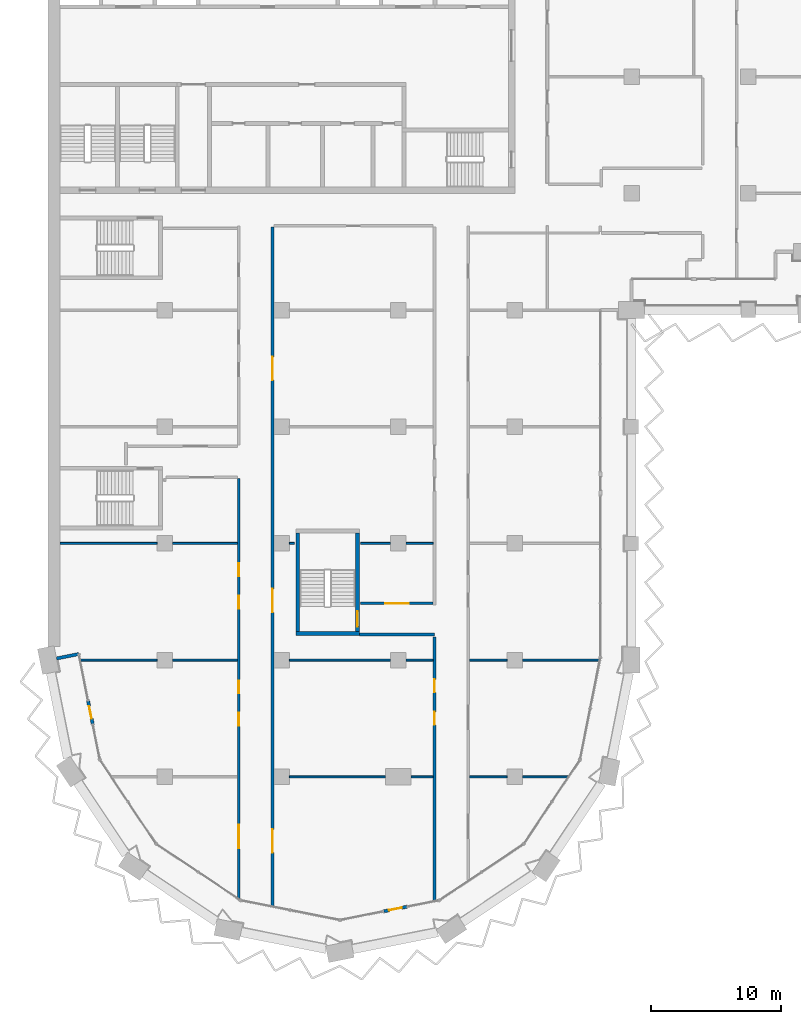
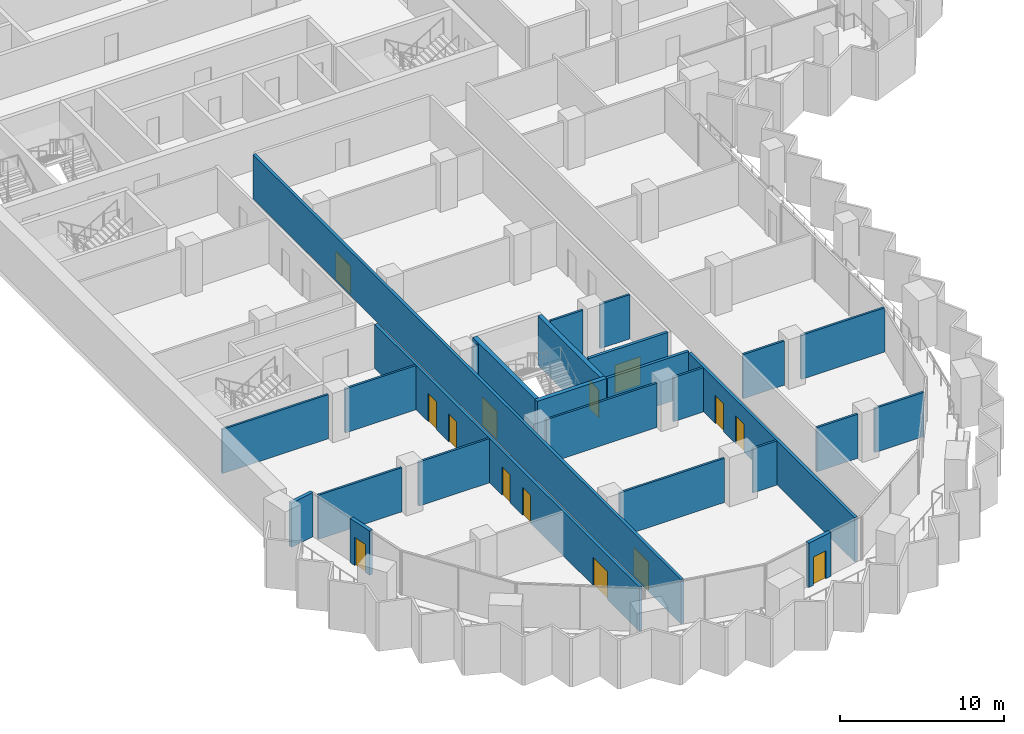
# One storey, part 8 of 22: 26 walls, 14 doors, 14 openings.
"""IFC4 building model written with IfcOpenShell, lengths in metres."""

import ifcopenshell
import ifcopenshell.guid

model = None  # the IFC model being written
_history = None  # IfcOwnerHistory: only IFC2X3 demands one
_inside = {}  # id of a spatial element -> (the spatial element, [elements in it])
_under = {}  # id of a project, library or spatial element -> (it, [spatial elements below it])
_declared = {}  # id of a project -> (the project, [libraries it declares])
_typed = {}  # id of a type object -> (the type object, [elements of that type])
_made_of = {}  # id of a material, layer set ... -> (it, [elements and type objects made of it])


def new_model(schema):
    """Start an empty IFC model of exactly this schema.

    Asked for "IFC4X3", IfcOpenShell would pick the latest addendum, in which some entities
    have other attributes; the version numbers below select the first issue.
    IFC2X3 requires an IfcOwnerHistory on every rooted entity: one is made here for all.
    """
    global model, _history
    if schema == "IFC4X3":
        model = ifcopenshell.file(schema_version=(4, 3, 0, 0))
    else:
        model = ifcopenshell.file(schema=schema)
    _inside.clear()
    _under.clear()
    _declared.clear()
    _typed.clear()
    _made_of.clear()
    _history = None
    if model.schema == "IFC2X3":
        org = make("IfcOrganization", Name="unknown")
        user = make(
            "IfcPersonAndOrganization",
            ThePerson=make("IfcPerson", FamilyName="unknown"),
            TheOrganization=org,
        )
        app = make(
            "IfcApplication",
            ApplicationDeveloper=org,
            Version="unknown",
            ApplicationFullName="unknown",
            ApplicationIdentifier="unknown",
        )
        _history = make(
            "IfcOwnerHistory",
            OwningUser=user,
            OwningApplication=app,
            ChangeAction="ADDED",
            CreationDate=0,
        )
    return model


def make(cls, **values):
    """One entity of the class cls with the attributes given. An attribute that is None is left unset."""
    return model.create_entity(
        cls, **{name: value for name, value in values.items() if value is not None}
    )


def rooted(cls, **values):
    """An entity with a GlobalId (a new one), such as an element, a storey or a relation."""
    return make(cls, GlobalId=ifcopenshell.guid.new(), OwnerHistory=_history, **values)


def si_unit(unit_type, name, prefix=None):
    """IfcSIUnit, for example si_unit("LENGTHUNIT", "METRE", prefix="MILLI")."""
    return make("IfcSIUnit", UnitType=unit_type, Prefix=prefix, Name=name)


def assignment(units):
    """IfcUnitAssignment: the units of a project."""
    return None if units is None else make("IfcUnitAssignment", Units=units)


def point(xyz):
    """IfcCartesianPoint."""
    return None if xyz is None else make("IfcCartesianPoint", Coordinates=xyz)


def direction(xyz):
    """IfcDirection."""
    return None if xyz is None else make("IfcDirection", DirectionRatios=xyz)


def frame(location, z_axis=None, x_axis=None):
    """IfcAxis2Placement3D, a coordinate frame: its origin and axes. An axis left out is left unset."""
    return make(
        "IfcAxis2Placement3D",
        Location=point(location),
        Axis=direction(z_axis),
        RefDirection=direction(x_axis),
    )


def frame_2d(location, x_axis=None):
    """IfcAxis2Placement2D, a coordinate frame in the plane: its origin and x axis."""
    return make(
        "IfcAxis2Placement2D", Location=point(location), RefDirection=direction(x_axis)
    )


def origin():
    """The frame at (0, 0, 0) with its axes left unset."""
    return frame((0.0, 0.0, 0.0))


def place(relative_to, where):
    """IfcLocalPlacement: puts the frame where relative to a parent placement (None: the world)."""
    return make(
        "IfcLocalPlacement", PlacementRelTo=relative_to, RelativePlacement=where
    )


def context(
    kind, dimensions, precision=None, world=None, true_north=None, identifier=None
):
    """IfcGeometricRepresentationContext, for example the 3D "Model" context."""
    return make(
        "IfcGeometricRepresentationContext",
        ContextIdentifier=identifier,
        ContextType=kind,
        CoordinateSpaceDimension=dimensions,
        Precision=precision,
        WorldCoordinateSystem=world,
        TrueNorth=true_north,
    )


def subcontext(parent, identifier, kind, view, scale=None):
    """IfcGeometricRepresentationSubContext, for example "Body" below "Model"."""
    return make(
        "IfcGeometricRepresentationSubContext",
        ContextIdentifier=identifier,
        ContextType=kind,
        ParentContext=parent,
        TargetScale=scale,
        TargetView=view,
    )


def project(units=None, contexts=None):
    """IfcProject with its units and contexts."""
    return rooted(
        "IfcProject",
        Name="project",
        RepresentationContexts=contexts,
        UnitsInContext=assignment(units),
    )


def spatial(cls, under=None, at=None, **own):
    """A site, building, storey or space (cls), placed at a placement, below another one or the project."""
    s = rooted(cls, ObjectPlacement=at, **own)
    if under is not None:
        _under.setdefault(under.id(), (under, []))[1].append(s)
    return s


def profile(cls, at=None, kind="AREA", **sizes):
    """A parametric profile (cls). Its sizes go by their IFC names, for example OverallWidth=200.0."""
    return make(cls, ProfileType=kind, Position=at, **sizes)


def rectangle(**sizes):
    """IfcRectangleProfileDef."""
    return profile("IfcRectangleProfileDef", **sizes)


def extrude(swept, where, along, depth):
    """IfcExtrudedAreaSolid: the profile swept, set in the frame where, extruded along a direction by depth."""
    return make(
        "IfcExtrudedAreaSolid",
        SweptArea=swept,
        Position=where,
        ExtrudedDirection=direction(along),
        Depth=depth,
    )


def shape(context_of_items, identifier, shape_type, items):
    """IfcShapeRepresentation: the items that make up one representation, for example the "Body"."""
    return make(
        "IfcShapeRepresentation",
        ContextOfItems=context_of_items,
        RepresentationIdentifier=identifier,
        RepresentationType=shape_type,
        Items=items,
    )


def material(Name=None, Category=None):
    """IfcMaterial."""
    return make("IfcMaterial", Name=Name, Category=Category)


def layer(
    of_material, thickness, ventilated=None, Name=None, Category=None, Priority=None
):
    """IfcMaterialLayer: one layer of a wall or slab, of a material (None: an air gap)."""
    return make(
        "IfcMaterialLayer",
        Material=of_material,
        LayerThickness=thickness,
        IsVentilated=ventilated,
        Name=Name,
        Category=Category,
        Priority=Priority,
    )


def layer_set(layers, Name=None):
    """IfcMaterialLayerSet."""
    return make("IfcMaterialLayerSet", MaterialLayers=layers, LayerSetName=Name)


def made_of(thing, what):
    """Note that an element or type object is made of a material, layer set ...; save() writes the relation."""
    if what is not None:
        _made_of.setdefault(what.id(), (what, []))[1].append(thing)
    return thing


def type_object(cls, material=None, **own):
    """A type object (cls), such as IfcWallType, which elements share."""
    return made_of(rooted(cls, **own), material)


def element(
    cls,
    number,
    at=None,
    inside=None,
    cuts=None,
    type_object=None,
    material=None,
    context=None,
    identifier="Body",
    shape_type=None,
    held_by="IfcProductDefinitionShape",
    body=None,
    shapes=None,
    **own,
):
    """One element of the class cls, such as IfcWall. Its Tag is "e" and its number.

    at: its placement. inside: the storey or other place that contains it. cuts: it is an
    opening in that element (IfcRelVoidsElement). A single representation is given by context,
    identifier, shape_type and body (its items); several are given by shapes. held_by: the class
    of the entity that holds the representations. save() writes the other relations.
    """
    e = rooted(cls, Tag="e%d" % number, ObjectPlacement=at, **own)
    if body is not None:
        shapes = [shape(context, identifier, shape_type, body)]
    if shapes is not None:
        e.Representation = make(held_by, Representations=shapes)
    if inside is not None:
        _inside.setdefault(inside.id(), (inside, []))[1].append(e)
    if cuts is not None:
        rooted(
            "IfcRelVoidsElement", RelatingBuildingElement=cuts, RelatedOpeningElement=e
        )
    if type_object is not None:
        _typed.setdefault(type_object.id(), (type_object, []))[1].append(e)
    return made_of(e, material)


def fill(opening, filler):
    """IfcRelFillsElement: the door or window that sits in an opening."""
    return rooted(
        "IfcRelFillsElement",
        RelatingOpeningElement=opening,
        RelatedBuildingElement=filler,
    )


def aggregate(whole, parts):
    """IfcRelAggregates: a whole, such as a stair, and the parts it consists of."""
    return rooted("IfcRelAggregates", RelatingObject=whole, RelatedObjects=parts)


def save(model, path):
    """Write the relations noted so far, then the file.

    IfcRelAggregates (storeys below a building ...), IfcRelContainedInSpatialStructure (elements
    in a storey), IfcRelDefinesByType, IfcRelAssociatesMaterial and IfcRelDeclares: one each for
    every whole, place, type object, material and project.
    """
    for whole, parts in _under.values():
        aggregate(whole, parts)
    for where, things in _inside.values():
        rooted(
            "IfcRelContainedInSpatialStructure",
            RelatedElements=things,
            RelatingStructure=where,
        )
    for kind, things in _typed.values():
        rooted("IfcRelDefinesByType", RelatedObjects=things, RelatingType=kind)
    for what, things in _made_of.values():
        rooted("IfcRelAssociatesMaterial", RelatedObjects=things, RelatingMaterial=what)
    for by, libraries in _declared.values():
        rooted("IfcRelDeclares", RelatingContext=by, RelatedDefinitions=libraries)
    model.write(path)


model = new_model("IFC4")

# Units and contexts
model_context = context("Model", 3, precision=1e-05, world=origin(), true_north=direction((0.0, 1.0)))
body_context = subcontext(model_context, "Body", "Model", "MODEL_VIEW")
ifc_project = project(units=[si_unit("LENGTHUNIT", "METRE"), si_unit("AREAUNIT", "SQUARE_METRE"), si_unit("VOLUMEUNIT", "CUBIC_METRE"), si_unit("PLANEANGLEUNIT", "RADIAN"), si_unit("MASSUNIT", "GRAM", prefix="KILO")], contexts=[model_context])

# Site, building, storey
site_placement = place(None, origin())
site = spatial("IfcSite", under=ifc_project, at=site_placement, CompositionType="ELEMENT")
building_placement = place(site_placement, origin())
building = spatial("IfcBuilding", under=site, at=building_placement, Name="Hunhe Ridgeline Campus", CompositionType="ELEMENT")
storey_placement = place(building_placement, frame((0.0, 0.0, 163.39990234375)))
storey = spatial("IfcBuildingStorey", under=building, at=storey_placement, Name="L41", CompositionType="ELEMENT", Elevation=163.39990234375)

# Walls
ifc_material_1 = material(Name="Concrete C30", Category="concrete")
ifc_layer_1 = layer(ifc_material_1, 0.25)
ifc_layer_set_1 = layer_set([ifc_layer_1], Name="Corner return wall 250 Concrete C30")
wall_type_1 = type_object("IfcWallType", Name="Corner return wall 250 Concrete C30", PredefinedType="SOLIDWALL", material=ifc_layer_set_1)
wall_1_placement = place(storey_placement, frame((0.637451171875, 27.127685546875, 0.0), z_axis=(0.0, 0.0, 1.0), x_axis=(0.980842591884, 0.194801976239, 0.0)))
element("IfcWall", 1, at=wall_1_placement, inside=storey, type_object=wall_type_1, Name="Corner return wall 1", PredefinedType="SOLIDWALL", context=body_context, shape_type="SweptSolid", body=[
    extrude(rectangle(XDim=1.750732421875, YDim=0.25, at=frame_2d((0.87548828125, 0.0))), origin(), (0.0, 0.0, 1.0), 3.300048828125),
])
ifc_material_2 = material(Name="Gypsum board partition")
ifc_layer_2 = layer(ifc_material_2, 0.199951171875)
ifc_layer_set_2 = layer_set([ifc_layer_2], Name="Corridor partition 200 gypsum board on steel studs")
wall_type_2 = type_object("IfcWallType", Name="Corridor partition 200 gypsum board on steel studs", PredefinedType="PARTITIONING", material=ifc_layer_set_2)
wall_2_placement = place(storey_placement, frame((29.800048828125, 28.97509765625, 0.0), z_axis=(0.0, 0.0, 1.0), x_axis=(-1.0, 0.0, 0.0)))
element("IfcWall", 2, at=wall_2_placement, inside=storey, type_object=wall_type_2, Name="F-L41-wall-013", PredefinedType="PARTITIONING", context=body_context, shape_type="SweptSolid", body=[
    extrude(rectangle(XDim=5.77001953125, YDim=0.199951171875, at=frame_2d((2.885009765625, 0.0))), origin(), (0.0, 0.0, 1.0), 3.300048828125),
])

# Wall, opening, door
wall_3_placement = place(storey_placement, frame((24.10400390625, 31.375, 0.0), z_axis=(0.0, 0.0, 1.0), x_axis=(1.0, 0.0, 0.0)))
wall_3 = element("IfcWall", 3, at=wall_3_placement, inside=storey, type_object=wall_type_2, Name="F-L41-wall-014", PredefinedType="PARTITIONING", context=body_context, shape_type="SweptSolid", body=[
    extrude(rectangle(XDim=5.595947265625, YDim=0.199951171875, at=frame_2d((2.7978515625, 0.0))), origin(), (0.0, 0.0, 1.0), 3.300048828125),
])
opening_1_placement = place(wall_3_placement, frame((1.89794921875, 0.0, 0.0)))
opening_1 = element("IfcOpeningElement", 4, at=opening_1_placement, cuts=wall_3, Name="Opening RD2-009", PredefinedType="OPENING", context=body_context, shape_type="SweptSolid", body=[
    extrude(rectangle(XDim=1.800048828125, YDim=2.10009765625, at=frame_2d((0.89990234375, 1.050048828125))), frame((0.0, 0.10009765625, 0.0), z_axis=(0.0, -1.0, 0.0), x_axis=(1.0, 0.0, 0.0)), (0.0, 0.0, 1.0), 0.199951171875),
])
ifc_material_3 = material(Name="Timber door leaf", Category="wood")
door_type_1 = type_object("IfcDoorType", Name="Double fire door 1800x2100 timber FD60", OperationType="DOUBLE_DOOR_SINGLE_SWING", PredefinedType="DOOR", material=ifc_material_3)
door_1_placement = place(opening_1_placement, origin())
door_1 = element("IfcDoor", 5, at=door_1_placement, inside=storey, type_object=door_type_1, Name="F-L41-door-009", OperationType="DOUBLE_DOOR_SINGLE_SWING", OverallHeight=2.10009765625, OverallWidth=1.800048828125, PredefinedType="DOOR", context=body_context, shape_type="SweptSolid", body=[
    extrude(rectangle(XDim=1.800048828125, YDim=2.10009765625, at=frame_2d((0.89990234375, 1.050048828125))), frame((0.0, 0.02490234375, 0.0), z_axis=(0.0, -1.0, 0.0), x_axis=(1.0, 0.0, 0.0)), (0.0, 0.0, 1.0), 0.050048828125),
])
fill(opening_1, door_1)

# Wall, openings, doors
wall_4_placement = place(storey_placement, frame((14.699951171875, 8.623779296875, 0.0), z_axis=(0.0, 0.0, 1.0), x_axis=(0.0, 1.0, 0.0)))
wall_4 = element("IfcWall", 6, at=wall_4_placement, inside=storey, type_object=wall_type_2, Name="F-L41-wall-057", PredefinedType="PARTITIONING", context=body_context, shape_type="SweptSolid", body=[
    extrude(rectangle(XDim=32.376220703125, YDim=0.199951171875, at=frame_2d((16.18798828125, 0.0))), origin(), (0.0, 0.0, 1.0), 3.300048828125),
])
opening_2_placement = place(wall_4_placement, frame((3.86865234375, 0.0, 0.0)))
opening_2 = element("IfcOpeningElement", 7, at=opening_2_placement, cuts=wall_4, Name="Opening RD2-002", PredefinedType="OPENING", context=body_context, shape_type="SweptSolid", body=[
    extrude(rectangle(XDim=1.800048828125, YDim=2.10009765625, at=frame_2d((0.89990234375, 1.050048828125))), frame((0.0, 0.10009765625, 0.0), z_axis=(0.0, -1.0, 0.0), x_axis=(1.0, 0.0, 0.0)), (0.0, 0.0, 1.0), 0.199951171875),
])
opening_3_placement = place(wall_4_placement, frame((13.3037109375, 0.0, 0.0)))
opening_3 = element("IfcOpeningElement", 8, at=opening_3_placement, cuts=wall_4, Name="Opening RD1-004", PredefinedType="OPENING", context=body_context, shape_type="SweptSolid", body=[
    extrude(rectangle(XDim=1.0, YDim=2.10009765625, at=frame_2d((0.5, 1.050048828125))), frame((0.0, 0.10009765625, 0.0), z_axis=(0.0, -1.0, 0.0), x_axis=(1.0, 0.0, 0.0)), (0.0, 0.0, 1.0), 0.199951171875),
])
opening_4_placement = place(wall_4_placement, frame((15.8037109375, 0.0, 0.0)))
opening_4 = element("IfcOpeningElement", 9, at=opening_4_placement, cuts=wall_4, Name="Opening RD1-007", PredefinedType="OPENING", context=body_context, shape_type="SweptSolid", body=[
    extrude(rectangle(XDim=1.0, YDim=2.10009765625, at=frame_2d((0.5, 1.050048828125))), frame((0.0, 0.10009765625, 0.0), z_axis=(0.0, -1.0, 0.0), x_axis=(1.0, 0.0, 0.0)), (0.0, 0.0, 1.0), 0.199951171875),
])
opening_5_placement = place(wall_4_placement, frame((22.339111328125, 0.0, 0.0)))
opening_5 = element("IfcOpeningElement", 10, at=opening_5_placement, cuts=wall_4, Name="Opening RD1-010", PredefinedType="OPENING", context=body_context, shape_type="SweptSolid", body=[
    extrude(rectangle(XDim=1.0, YDim=2.10009765625, at=frame_2d((0.5, 1.050048828125))), frame((0.0, 0.10009765625, 0.0), z_axis=(0.0, -1.0, 0.0), x_axis=(1.0, 0.0, 0.0)), (0.0, 0.0, 1.0), 0.199951171875),
])
opening_6_placement = place(wall_4_placement, frame((24.839111328125, 0.0, 0.0)))
opening_6 = element("IfcOpeningElement", 11, at=opening_6_placement, cuts=wall_4, Name="Opening RD1-013", PredefinedType="OPENING", context=body_context, shape_type="SweptSolid", body=[
    extrude(rectangle(XDim=1.0, YDim=2.10009765625, at=frame_2d((0.5, 1.050048828125))), frame((0.0, 0.10009765625, 0.0), z_axis=(0.0, -1.0, 0.0), x_axis=(1.0, 0.0, 0.0)), (0.0, 0.0, 1.0), 0.199951171875),
])
door_2_placement = place(opening_2_placement, origin())
door_2 = element("IfcDoor", 12, at=door_2_placement, inside=storey, type_object=door_type_1, Name="F-L41-door-002", OperationType="DOUBLE_DOOR_SINGLE_SWING", OverallHeight=2.10009765625, OverallWidth=1.800048828125, PredefinedType="DOOR", context=body_context, shape_type="SweptSolid", body=[
    extrude(rectangle(XDim=1.800048828125, YDim=2.10009765625, at=frame_2d((0.89990234375, 1.050048828125))), frame((0.0, 0.02490234375, 0.0), z_axis=(0.0, -1.0, 0.0), x_axis=(1.0, 0.0, 0.0)), (0.0, 0.0, 1.0), 0.050048828125),
])
fill(opening_2, door_2)
door_type_2 = type_object("IfcDoorType", Name="Single fire door 1000x2100 timber FD60", OperationType="NOTDEFINED", PredefinedType="DOOR", material=ifc_material_3)
door_3_placement = place(opening_3_placement, frame((1.0, 0.0, 0.0), z_axis=(0.0, 0.0, 1.0), x_axis=(-1.0, 0.0, 0.0)))
door_3 = element("IfcDoor", 13, at=door_3_placement, inside=storey, type_object=door_type_2, Name="F-L41-door-004", OperationType="SINGLE_SWING_LEFT", OverallHeight=2.10009765625, OverallWidth=1.0, PredefinedType="DOOR", context=body_context, shape_type="SweptSolid", body=[
    extrude(rectangle(XDim=1.0, YDim=2.10009765625, at=frame_2d((0.5, 1.050048828125))), frame((0.0, 0.02490234375, 0.0), z_axis=(0.0, -1.0, 0.0), x_axis=(1.0, 0.0, 0.0)), (0.0, 0.0, 1.0), 0.050048828125),
])
fill(opening_3, door_3)
door_4_placement = place(opening_4_placement, frame((1.0, 0.0, 0.0), z_axis=(0.0, 0.0, 1.0), x_axis=(-1.0, 0.0, 0.0)))
door_4 = element("IfcDoor", 14, at=door_4_placement, inside=storey, type_object=door_type_2, Name="F-L41-door-007", OperationType="SINGLE_SWING_LEFT", OverallHeight=2.10009765625, OverallWidth=1.0, PredefinedType="DOOR", context=body_context, shape_type="SweptSolid", body=[
    extrude(rectangle(XDim=1.0, YDim=2.10009765625, at=frame_2d((0.5, 1.050048828125))), frame((0.0, 0.02490234375, 0.0), z_axis=(0.0, -1.0, 0.0), x_axis=(1.0, 0.0, 0.0)), (0.0, 0.0, 1.0), 0.050048828125),
])
fill(opening_4, door_4)
door_5_placement = place(opening_5_placement, frame((1.0, 0.0, 0.0), z_axis=(0.0, 0.0, 1.0), x_axis=(-1.0, 0.0, 0.0)))
door_5 = element("IfcDoor", 15, at=door_5_placement, inside=storey, type_object=door_type_2, Name="F-L41-door-010", OperationType="SINGLE_SWING_LEFT", OverallHeight=2.10009765625, OverallWidth=1.0, PredefinedType="DOOR", context=body_context, shape_type="SweptSolid", body=[
    extrude(rectangle(XDim=1.0, YDim=2.10009765625, at=frame_2d((0.5, 1.050048828125))), frame((0.0, 0.02490234375, 0.0), z_axis=(0.0, -1.0, 0.0), x_axis=(1.0, 0.0, 0.0)), (0.0, 0.0, 1.0), 0.050048828125),
])
fill(opening_5, door_5)
door_6_placement = place(opening_6_placement, frame((1.0, 0.0, 0.0), z_axis=(0.0, 0.0, 1.0), x_axis=(-1.0, 0.0, 0.0)))
door_6 = element("IfcDoor", 16, at=door_6_placement, inside=storey, type_object=door_type_2, Name="F-L41-door-013", OperationType="SINGLE_SWING_LEFT", OverallHeight=2.10009765625, OverallWidth=1.0, PredefinedType="DOOR", context=body_context, shape_type="SweptSolid", body=[
    extrude(rectangle(XDim=1.0, YDim=2.10009765625, at=frame_2d((0.5, 1.050048828125))), frame((0.0, 0.02490234375, 0.0), z_axis=(0.0, -1.0, 0.0), x_axis=(1.0, 0.0, 0.0)), (0.0, 0.0, 1.0), 0.050048828125),
])
fill(opening_6, door_6)

wall_5_placement = place(storey_placement, frame((17.300048828125, 60.39990234375, 0.0), z_axis=(0.0, 0.0, 1.0), x_axis=(0.0, -1.0, 0.0)))
wall_5 = element("IfcWall", 17, at=wall_5_placement, inside=storey, type_object=wall_type_2, Name="F-L41-wall-059", PredefinedType="PARTITIONING", context=body_context, shape_type="SweptSolid", body=[
    extrude(rectangle(XDim=52.362548828125, YDim=0.199951171875, at=frame_2d((26.18115234375, 0.0))), origin(), (0.0, 0.0, 1.0), 3.300048828125),
])
opening_7_placement = place(wall_5_placement, frame((46.451904296875, 0.0, 0.0)))
opening_7 = element("IfcOpeningElement", 18, at=opening_7_placement, cuts=wall_5, Name="Opening RD2-001", PredefinedType="OPENING", context=body_context, shape_type="SweptSolid", body=[
    extrude(rectangle(XDim=1.800048828125, YDim=2.10009765625, at=frame_2d((0.89990234375, 1.050048828125))), frame((0.0, 0.10009765625, 0.0), z_axis=(0.0, -1.0, 0.0), x_axis=(1.0, 0.0, 0.0)), (0.0, 0.0, 1.0), 0.199951171875),
])
opening_8_placement = place(wall_5_placement, frame((27.911865234375, 0.0, 0.0)))
opening_8 = element("IfcOpeningElement", 19, at=opening_8_placement, cuts=wall_5, Name="Opening RD2-011", PredefinedType="OPENING", context=body_context, shape_type="SweptSolid", body=[
    extrude(rectangle(XDim=1.800048828125, YDim=2.10009765625, at=frame_2d((0.89990234375, 1.050048828125))), frame((0.0, 0.10009765625, 0.0), z_axis=(0.0, -1.0, 0.0), x_axis=(1.0, 0.0, 0.0)), (0.0, 0.0, 1.0), 0.199951171875),
])
opening_9_placement = place(wall_5_placement, frame((9.998291015625, 0.0, 0.0)))
opening_9 = element("IfcOpeningElement", 20, at=opening_9_placement, cuts=wall_5, Name="Opening RD2-021", PredefinedType="OPENING", context=body_context, shape_type="SweptSolid", body=[
    extrude(rectangle(XDim=1.800048828125, YDim=2.10009765625, at=frame_2d((0.89990234375, 1.050048828125))), frame((0.0, 0.10009765625, 0.0), z_axis=(0.0, -1.0, 0.0), x_axis=(1.0, 0.0, 0.0)), (0.0, 0.0, 1.0), 0.199951171875),
])
door_7_placement = place(opening_7_placement, origin())
door_7 = element("IfcDoor", 21, at=door_7_placement, inside=storey, type_object=door_type_1, Name="F-L41-door-001", OperationType="DOUBLE_DOOR_SINGLE_SWING", OverallHeight=2.10009765625, OverallWidth=1.800048828125, PredefinedType="DOOR", context=body_context, shape_type="SweptSolid", body=[
    extrude(rectangle(XDim=1.800048828125, YDim=2.10009765625, at=frame_2d((0.89990234375, 1.050048828125))), frame((0.0, 0.02490234375, 0.0), z_axis=(0.0, -1.0, 0.0), x_axis=(1.0, 0.0, 0.0)), (0.0, 0.0, 1.0), 0.050048828125),
])
fill(opening_7, door_7)
door_8_placement = place(opening_8_placement, origin())
door_8 = element("IfcDoor", 22, at=door_8_placement, inside=storey, type_object=door_type_1, Name="F-L41-door-011", OperationType="DOUBLE_DOOR_SINGLE_SWING", OverallHeight=2.10009765625, OverallWidth=1.800048828125, PredefinedType="DOOR", context=body_context, shape_type="SweptSolid", body=[
    extrude(rectangle(XDim=1.800048828125, YDim=2.10009765625, at=frame_2d((0.89990234375, 1.050048828125))), frame((0.0, 0.02490234375, 0.0), z_axis=(0.0, -1.0, 0.0), x_axis=(1.0, 0.0, 0.0)), (0.0, 0.0, 1.0), 0.050048828125),
])
fill(opening_8, door_8)
door_9_placement = place(opening_9_placement, origin())
door_9 = element("IfcDoor", 23, at=door_9_placement, inside=storey, type_object=door_type_1, Name="F-L41-door-021", OperationType="DOUBLE_DOOR_SINGLE_SWING", OverallHeight=2.10009765625, OverallWidth=1.800048828125, PredefinedType="DOOR", context=body_context, shape_type="SweptSolid", body=[
    extrude(rectangle(XDim=1.800048828125, YDim=2.10009765625, at=frame_2d((0.89990234375, 1.050048828125))), frame((0.0, 0.02490234375, 0.0), z_axis=(0.0, -1.0, 0.0), x_axis=(1.0, 0.0, 0.0)), (0.0, 0.0, 1.0), 0.050048828125),
])
fill(opening_9, door_9)

wall_6_placement = place(storey_placement, frame((29.800048828125, 8.455078125, 0.0), z_axis=(0.0, 0.0, 1.0), x_axis=(0.0, 1.0, 0.0)))
wall_6 = element("IfcWall", 24, at=wall_6_placement, inside=storey, type_object=wall_type_2, Name="F-L41-wall-060", PredefinedType="PARTITIONING", context=body_context, shape_type="SweptSolid", body=[
    extrude(rectangle(XDim=20.322265625, YDim=0.199951171875, at=frame_2d((10.1611328125, 0.0))), origin(), (0.0, 0.0, 1.0), 3.300048828125),
])
opening_10_placement = place(wall_6_placement, frame((13.550048828125, 0.0, 0.0)))
opening_10 = element("IfcOpeningElement", 25, at=opening_10_placement, cuts=wall_6, Name="Opening RD1-005", PredefinedType="OPENING", context=body_context, shape_type="SweptSolid", body=[
    extrude(rectangle(XDim=1.0, YDim=2.10009765625, at=frame_2d((0.5, 1.050048828125))), frame((0.0, 0.10009765625, 0.0), z_axis=(0.0, -1.0, 0.0), x_axis=(1.0, 0.0, 0.0)), (0.0, 0.0, 1.0), 0.199951171875),
])
opening_11_placement = place(wall_6_placement, frame((16.050048828125, 0.0, 0.0)))
opening_11 = element("IfcOpeningElement", 26, at=opening_11_placement, cuts=wall_6, Name="Opening RD1-008", PredefinedType="OPENING", context=body_context, shape_type="SweptSolid", body=[
    extrude(rectangle(XDim=1.0, YDim=2.10009765625, at=frame_2d((0.5, 1.050048828125))), frame((0.0, 0.10009765625, 0.0), z_axis=(0.0, -1.0, 0.0), x_axis=(1.0, 0.0, 0.0)), (0.0, 0.0, 1.0), 0.199951171875),
])
door_10_placement = place(opening_10_placement, frame((1.0, 0.0, 0.0), z_axis=(0.0, 0.0, 1.0), x_axis=(-1.0, 0.0, 0.0)))
door_10 = element("IfcDoor", 27, at=door_10_placement, inside=storey, type_object=door_type_2, Name="F-L41-door-005", OperationType="SINGLE_SWING_LEFT", OverallHeight=2.10009765625, OverallWidth=1.0, PredefinedType="DOOR", context=body_context, shape_type="SweptSolid", body=[
    extrude(rectangle(XDim=1.0, YDim=2.10009765625, at=frame_2d((0.5, 1.050048828125))), frame((0.0, 0.02490234375, 0.0), z_axis=(0.0, -1.0, 0.0), x_axis=(1.0, 0.0, 0.0)), (0.0, 0.0, 1.0), 0.050048828125),
])
fill(opening_10, door_10)
door_11_placement = place(opening_11_placement, frame((1.0, 0.0, 0.0), z_axis=(0.0, 0.0, 1.0), x_axis=(-1.0, 0.0, 0.0)))
door_11 = element("IfcDoor", 28, at=door_11_placement, inside=storey, type_object=door_type_2, Name="F-L41-door-008", OperationType="SINGLE_SWING_LEFT", OverallHeight=2.10009765625, OverallWidth=1.0, PredefinedType="DOOR", context=body_context, shape_type="SweptSolid", body=[
    extrude(rectangle(XDim=1.0, YDim=2.10009765625, at=frame_2d((0.5, 1.050048828125))), frame((0.0, 0.02490234375, 0.0), z_axis=(0.0, -1.0, 0.0), x_axis=(1.0, 0.0, 0.0)), (0.0, 0.0, 1.0), 0.050048828125),
])
fill(opening_11, door_11)

# Wall, opening, door
ifc_layer_3 = layer(ifc_material_1, 0.25)
ifc_layer_set_3 = layer_set([ifc_layer_3], Name="Loggia door pier wall 250 Concrete C30")
wall_type_3 = type_object("IfcWallType", Name="Loggia door pier wall 250 Concrete C30", PredefinedType="SOLIDWALL", material=ifc_layer_set_3)
wall_7_placement = place(storey_placement, frame((3.076904296875, 23.8388671875, 0.0), z_axis=(0.0, 0.0, 1.0), x_axis=(0.195046569833, -0.980793982239, 0.0)))
wall_7 = element("IfcWall", 29, at=wall_7_placement, inside=storey, type_object=wall_type_3, Name="Loggia door pier 1", PredefinedType="SOLIDWALL", context=body_context, shape_type="SweptSolid", body=[
    extrude(rectangle(XDim=1.800048828125, YDim=0.25, at=frame_2d((0.89990234375, 0.0))), origin(), (0.0, 0.0, 1.0), 3.300048828125),
])
opening_12_placement = place(wall_7_placement, frame((0.39990234375, 0.0, 0.0)))
opening_12 = element("IfcOpeningElement", 30, at=opening_12_placement, cuts=wall_7, Name="Opening BD301", PredefinedType="OPENING", context=body_context, shape_type="SweptSolid", body=[
    extrude(rectangle(XDim=1.0, YDim=2.10009765625, at=frame_2d((0.5, 1.050048828125))), frame((0.0, 0.125, 0.0), z_axis=(0.0, -1.0, 0.0), x_axis=(1.0, 0.0, 0.0)), (0.0, 0.0, 1.0), 0.25),
])
ifc_material_4 = material(Name="Aluminium 6063", Category="aluminium")
door_type_3 = type_object("IfcDoorType", Name="Loggia glazed door 1000x2100", OperationType="NOTDEFINED", PredefinedType="DOOR", material=ifc_material_4)
door_12_placement = place(opening_12_placement, frame((1.0, 0.0, 0.0), z_axis=(0.0, 0.0, 1.0), x_axis=(-1.0, 0.0, 0.0)))
door_12 = element("IfcDoor", 31, at=door_12_placement, inside=storey, type_object=door_type_3, Name="Loggia door BD301", OperationType="SINGLE_SWING_RIGHT", OverallHeight=2.10009765625, OverallWidth=1.0, PredefinedType="DOOR", context=body_context, shape_type="SweptSolid", body=[
    extrude(rectangle(XDim=1.0, YDim=2.10009765625, at=frame_2d((0.5, 1.050048828125))), frame((0.0, 0.02490234375, 0.0), z_axis=(0.0, -1.0, 0.0), x_axis=(1.0, 0.0, 0.0)), (0.0, 0.0, 1.0), 0.050048828125),
])
fill(opening_12, door_12)

wall_8_placement = place(storey_placement, frame((25.8955078125, 7.62353515625, 0.0), z_axis=(0.0, 0.0, 1.0), x_axis=(0.980793982239, 0.195046569833, 0.0)))
wall_8 = element("IfcWall", 32, at=wall_8_placement, inside=storey, type_object=wall_type_3, Name="Loggia door pier 2", PredefinedType="SOLIDWALL", context=body_context, shape_type="SweptSolid", body=[
    extrude(rectangle(XDim=1.800048828125, YDim=0.25, at=frame_2d((0.89990234375, 0.0))), origin(), (0.0, 0.0, 1.0), 3.300048828125),
])
opening_13_placement = place(wall_8_placement, frame((0.39990234375, 0.0, 0.0)))
opening_13 = element("IfcOpeningElement", 33, at=opening_13_placement, cuts=wall_8, Name="Opening BD303", PredefinedType="OPENING", context=body_context, shape_type="SweptSolid", body=[
    extrude(rectangle(XDim=1.0, YDim=2.10009765625, at=frame_2d((0.5, 1.050048828125))), frame((0.0, 0.125, 0.0), z_axis=(0.0, -1.0, 0.0), x_axis=(1.0, 0.0, 0.0)), (0.0, 0.0, 1.0), 0.25),
])
door_13_placement = place(opening_13_placement, frame((1.0, 0.0, 0.0), z_axis=(0.0, 0.0, 1.0), x_axis=(-1.0, 0.0, 0.0)))
door_13 = element("IfcDoor", 34, at=door_13_placement, inside=storey, type_object=door_type_3, Name="Loggia door BD303", OperationType="SINGLE_SWING_RIGHT", OverallHeight=2.10009765625, OverallWidth=1.0, PredefinedType="DOOR", context=body_context, shape_type="SweptSolid", body=[
    extrude(rectangle(XDim=1.0, YDim=2.10009765625, at=frame_2d((0.5, 1.050048828125))), frame((0.0, 0.02490234375, 0.0), z_axis=(0.0, -1.0, 0.0), x_axis=(1.0, 0.0, 0.0)), (0.0, 0.0, 1.0), 0.050048828125),
])
fill(opening_13, door_13)

# Walls
ifc_layer_4 = layer(ifc_material_2, 0.14990234375)
ifc_layer_set_4 = layer_set([ifc_layer_4], Name="Room partition 150 gypsum board on steel studs")
wall_type_4 = type_object("IfcWallType", Name="Room partition 150 gypsum board on steel studs", PredefinedType="PARTITIONING", material=ifc_layer_set_4)
wall_9_placement = place(storey_placement, frame((18.60009765625, 18.0, 0.0), z_axis=(0.0, 0.0, 1.0), x_axis=(1.0, 0.0, 0.0)))
element("IfcWall", 35, at=wall_9_placement, inside=storey, type_object=wall_type_4, Name="F-L41-wall-003", PredefinedType="PARTITIONING", context=body_context, shape_type="SweptSolid", body=[
    extrude(rectangle(XDim=7.39990234375, YDim=0.14990234375, at=frame_2d((3.699951171875, 0.0))), origin(), (0.0, 0.0, 1.0), 3.300048828125),
])
wall_10_placement = place(storey_placement, frame((28.0, 18.0, 0.0), z_axis=(0.0, 0.0, 1.0), x_axis=(1.0, 0.0, 0.0)))
element("IfcWall", 36, at=wall_10_placement, inside=storey, type_object=wall_type_4, Name="F-L41-wall-004", PredefinedType="PARTITIONING", context=body_context, shape_type="SweptSolid", body=[
    extrude(rectangle(XDim=1.699951171875, YDim=0.14990234375, at=frame_2d((0.85009765625, 0.0))), origin(), (0.0, 0.0, 1.0), 3.300048828125),
])
wall_11_placement = place(storey_placement, frame((32.5, 18.0, 0.0), z_axis=(0.0, 0.0, 1.0), x_axis=(1.0, 0.0, 0.0)))
element("IfcWall", 37, at=wall_11_placement, inside=storey, type_object=wall_type_4, Name="F-L41-wall-005", PredefinedType="PARTITIONING", context=body_context, shape_type="SweptSolid", body=[
    extrude(rectangle(XDim=2.89990234375, YDim=0.14990234375, at=frame_2d((1.449951171875, 0.0))), origin(), (0.0, 0.0, 1.0), 3.300048828125),
])
wall_12_placement = place(storey_placement, frame((36.60009765625, 18.0, 0.0), z_axis=(0.0, 0.0, 1.0), x_axis=(1.0, 0.0, 0.0)))
element("IfcWall", 38, at=wall_12_placement, inside=storey, type_object=wall_type_4, Name="F-L41-wall-006", PredefinedType="PARTITIONING", context=body_context, shape_type="SweptSolid", body=[
    extrude(rectangle(XDim=3.474365234375, YDim=0.14990234375, at=frame_2d((1.7373046875, 0.0))), origin(), (0.0, 0.0, 1.0), 3.300048828125),
])
wall_13_placement = place(storey_placement, frame((2.503173828125, 27.0, 0.0), z_axis=(0.0, 0.0, 1.0), x_axis=(1.0, 0.0, 0.0)))
element("IfcWall", 39, at=wall_13_placement, inside=storey, type_object=wall_type_4, Name="F-L41-wall-007", PredefinedType="PARTITIONING", context=body_context, shape_type="SweptSolid", body=[
    extrude(rectangle(XDim=5.896728515625, YDim=0.14990234375, at=frame_2d((2.9482421875, 0.0))), origin(), (0.0, 0.0, 1.0), 3.300048828125),
])
wall_14_placement = place(storey_placement, frame((9.60009765625, 27.0, 0.0), z_axis=(0.0, 0.0, 1.0), x_axis=(1.0, 0.0, 0.0)))
element("IfcWall", 40, at=wall_14_placement, inside=storey, type_object=wall_type_4, Name="F-L41-wall-008", PredefinedType="PARTITIONING", context=body_context, shape_type="SweptSolid", body=[
    extrude(rectangle(XDim=5.0, YDim=0.14990234375, at=frame_2d((2.5, 0.0))), origin(), (0.0, 0.0, 1.0), 3.300048828125),
])
wall_15_placement = place(storey_placement, frame((18.60009765625, 27.0, 0.0), z_axis=(0.0, 0.0, 1.0), x_axis=(1.0, 0.0, 0.0)))
element("IfcWall", 41, at=wall_15_placement, inside=storey, type_object=wall_type_4, Name="F-L41-wall-009", PredefinedType="PARTITIONING", context=body_context, shape_type="SweptSolid", body=[
    extrude(rectangle(XDim=7.7998046875, YDim=0.14990234375, at=frame_2d((3.89990234375, 0.0))), origin(), (0.0, 0.0, 1.0), 3.300048828125),
])
wall_16_placement = place(storey_placement, frame((27.60009765625, 27.0, 0.0), z_axis=(0.0, 0.0, 1.0), x_axis=(1.0, 0.0, 0.0)))
element("IfcWall", 42, at=wall_16_placement, inside=storey, type_object=wall_type_4, Name="F-L41-wall-010", PredefinedType="PARTITIONING", context=body_context, shape_type="SweptSolid", body=[
    extrude(rectangle(XDim=2.099853515625, YDim=0.14990234375, at=frame_2d((1.0498046875, 0.0))), origin(), (0.0, 0.0, 1.0), 3.300048828125),
])
wall_17_placement = place(storey_placement, frame((32.5, 27.0, 0.0), z_axis=(0.0, 0.0, 1.0), x_axis=(1.0, 0.0, 0.0)))
element("IfcWall", 43, at=wall_17_placement, inside=storey, type_object=wall_type_4, Name="F-L41-wall-011", PredefinedType="PARTITIONING", context=body_context, shape_type="SweptSolid", body=[
    extrude(rectangle(XDim=2.89990234375, YDim=0.14990234375, at=frame_2d((1.449951171875, 0.0))), origin(), (0.0, 0.0, 1.0), 3.300048828125),
])
wall_18_placement = place(storey_placement, frame((36.60009765625, 27.0, 0.0), z_axis=(0.0, 0.0, 1.0), x_axis=(1.0, 0.0, 0.0)))
element("IfcWall", 44, at=wall_18_placement, inside=storey, type_object=wall_type_4, Name="F-L41-wall-012", PredefinedType="PARTITIONING", context=body_context, shape_type="SweptSolid", body=[
    extrude(rectangle(XDim=5.896728515625, YDim=0.14990234375, at=frame_2d((2.9482421875, 0.0))), origin(), (0.0, 0.0, 1.0), 3.300048828125),
])
wall_19_placement = place(storey_placement, frame((0.919921875, 36.0, 0.0), z_axis=(0.0, 0.0, 1.0), x_axis=(1.0, 0.0, 0.0)))
element("IfcWall", 45, at=wall_19_placement, inside=storey, type_object=wall_type_4, Name="F-L41-wall-015", PredefinedType="PARTITIONING", context=body_context, shape_type="SweptSolid", body=[
    extrude(rectangle(XDim=7.47998046875, YDim=0.14990234375, at=frame_2d((3.739990234375, 0.0))), origin(), (0.0, 0.0, 1.0), 3.300048828125),
])
wall_20_placement = place(storey_placement, frame((9.60009765625, 36.0, 0.0), z_axis=(0.0, 0.0, 1.0), x_axis=(1.0, 0.0, 0.0)))
element("IfcWall", 46, at=wall_20_placement, inside=storey, type_object=wall_type_4, Name="F-L41-wall-016", PredefinedType="PARTITIONING", context=body_context, shape_type="SweptSolid", body=[
    extrude(rectangle(XDim=5.0, YDim=0.14990234375, at=frame_2d((2.5, 0.0))), origin(), (0.0, 0.0, 1.0), 3.300048828125),
])
wall_21_placement = place(storey_placement, frame((18.60009765625, 36.0, 0.0), z_axis=(0.0, 0.0, 1.0), x_axis=(1.0, 0.0, 0.0)))
element("IfcWall", 47, at=wall_21_placement, inside=storey, type_object=wall_type_4, Name="F-L41-wall-017", PredefinedType="PARTITIONING", context=body_context, shape_type="SweptSolid", body=[
    extrude(rectangle(XDim=0.39599609375, YDim=0.14990234375, at=frame_2d((0.197998046875, 0.0))), origin(), (0.0, 0.0, 1.0), 3.300048828125),
])
wall_22_placement = place(storey_placement, frame((24.10400390625, 36.0, 0.0), z_axis=(0.0, 0.0, 1.0), x_axis=(1.0, 0.0, 0.0)))
element("IfcWall", 48, at=wall_22_placement, inside=storey, type_object=wall_type_4, Name="F-L41-wall-018", PredefinedType="PARTITIONING", context=body_context, shape_type="SweptSolid", body=[
    extrude(rectangle(XDim=2.2958984375, YDim=0.14990234375, at=frame_2d((1.14794921875, 0.0))), origin(), (0.0, 0.0, 1.0), 3.300048828125),
])
wall_23_placement = place(storey_placement, frame((27.60009765625, 36.0, 0.0), z_axis=(0.0, 0.0, 1.0), x_axis=(1.0, 0.0, 0.0)))
element("IfcWall", 49, at=wall_23_placement, inside=storey, type_object=wall_type_4, Name="F-L41-wall-019", PredefinedType="PARTITIONING", context=body_context, shape_type="SweptSolid", body=[
    extrude(rectangle(XDim=2.099853515625, YDim=0.14990234375, at=frame_2d((1.0498046875, 0.0))), origin(), (0.0, 0.0, 1.0), 3.300048828125),
])
ifc_material_5 = material(Name="Concrete C70", Category="concrete")
ifc_layer_5 = layer(ifc_material_5, 0.300048828125)
ifc_layer_set_5 = layer_set([ifc_layer_5], Name="Stair wall 300 reinforced concrete C70")
wall_type_5 = type_object("IfcWallType", Name="Stair wall 300 reinforced concrete C70", PredefinedType="SOLIDWALL", material=ifc_layer_set_5)
wall_24_placement = place(storey_placement, frame((19.10009765625, 29.050048828125, -0.39990234375), z_axis=(0.0, 0.0, 1.0), x_axis=(1.0, 0.0, 0.0)))
element("IfcWall", 50, at=wall_24_placement, inside=storey, type_object=wall_type_5, Name="L41 core wall 1", PredefinedType="SOLIDWALL", context=body_context, shape_type="SweptSolid", body=[
    extrude(rectangle(XDim=4.89990234375, YDim=0.300048828125, at=frame_2d((2.449951171875, 0.0))), origin(), (0.0, 0.0, 1.0), 3.699951171875),
])
wall_25_placement = place(storey_placement, frame((19.25, 29.199951171875, -0.39990234375), z_axis=(0.0, 0.0, 1.0), x_axis=(0.0, 1.0, 0.0)))
element("IfcWall", 51, at=wall_25_placement, inside=storey, type_object=wall_type_5, Name="L41 core wall 45", PredefinedType="SOLIDWALL", context=body_context, shape_type="SweptSolid", body=[
    extrude(rectangle(XDim=7.60009765625, YDim=0.300048828125, at=frame_2d((3.800048828125, 0.0))), origin(), (0.0, 0.0, 1.0), 3.699951171875),
])

# Wall, opening, door
wall_26_placement = place(storey_placement, frame((23.85009765625, 29.199951171875, -0.39990234375), z_axis=(0.0, 0.0, 1.0), x_axis=(0.0, 1.0, 0.0)))
wall_26 = element("IfcWall", 52, at=wall_26_placement, inside=storey, type_object=wall_type_5, Name="L41 core wall 50", PredefinedType="SOLIDWALL", context=body_context, shape_type="SweptSolid", body=[
    extrude(rectangle(XDim=7.60009765625, YDim=0.300048828125, at=frame_2d((3.800048828125, 0.0))), origin(), (0.0, 0.0, 1.0), 3.699951171875),
])
opening_14_placement = place(wall_26_placement, frame((0.375, 0.0, 0.39990234375)))
opening_14 = element("IfcOpeningElement", 53, at=opening_14_placement, cuts=wall_26, Name="Opening CD23", PredefinedType="OPENING", context=body_context, shape_type="SweptSolid", body=[
    extrude(rectangle(XDim=1.199951171875, YDim=2.10009765625, at=frame_2d((0.60009765625, 1.050048828125))), frame((0.0, 0.14990234375, 0.0), z_axis=(0.0, -1.0, 0.0), x_axis=(1.0, 0.0, 0.0)), (0.0, 0.0, 1.0), 0.300048828125),
])
ifc_material_6 = material(Name="Hollow metal fire door leaf")
door_type_4 = type_object("IfcDoorType", Name="Stair door 1200x2100 FD60", OperationType="SINGLE_SWING_LEFT", PredefinedType="DOOR", material=ifc_material_6)
door_14_placement = place(opening_14_placement, frame((1.199951171875, 0.0, 0.0), z_axis=(0.0, 0.0, 1.0), x_axis=(-1.0, 0.0, 0.0)))
door_14 = element("IfcDoor", 54, at=door_14_placement, inside=storey, type_object=door_type_4, Name="L41 door W3", OperationType="SINGLE_SWING_RIGHT", OverallHeight=2.10009765625, OverallWidth=1.199951171875, PredefinedType="DOOR", context=body_context, shape_type="SweptSolid", body=[
    extrude(rectangle(XDim=1.199951171875, YDim=2.10009765625, at=frame_2d((0.60009765625, 1.050048828125))), frame((0.0, 0.02490234375, 0.0), z_axis=(0.0, -1.0, 0.0), x_axis=(1.0, 0.0, 0.0)), (0.0, 0.0, 1.0), 0.050048828125),
])
fill(opening_14, door_14)

save(model, "model.ifc")
